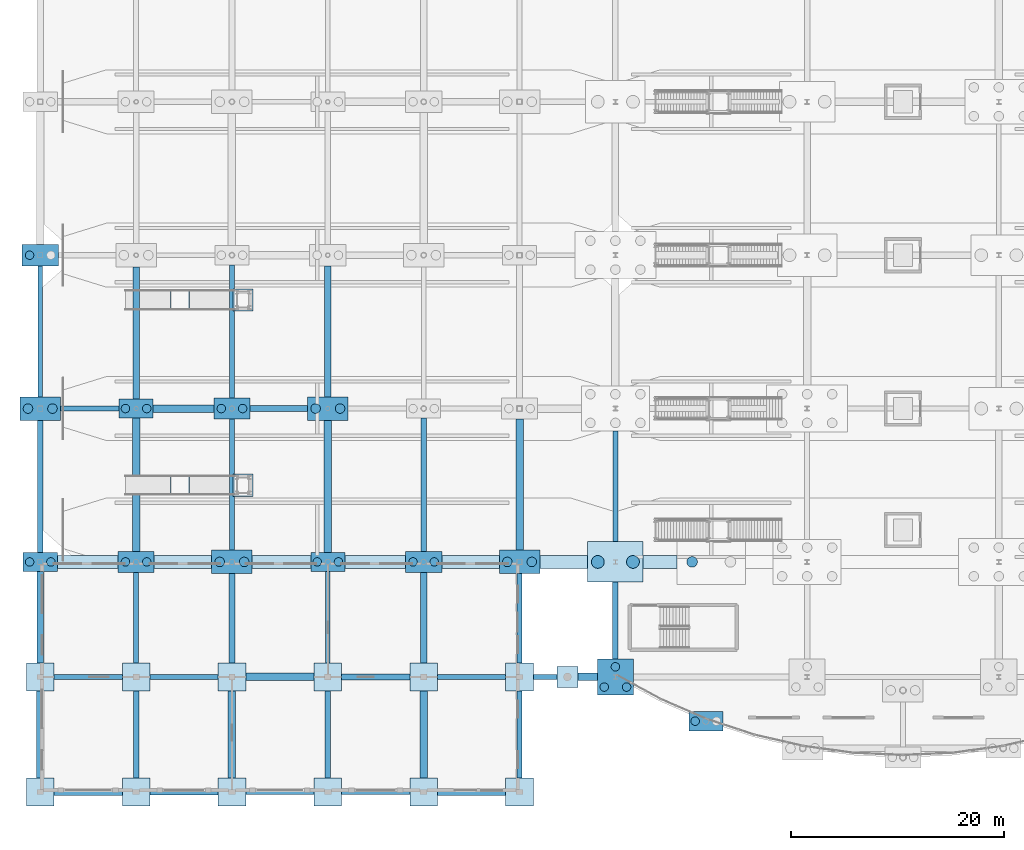
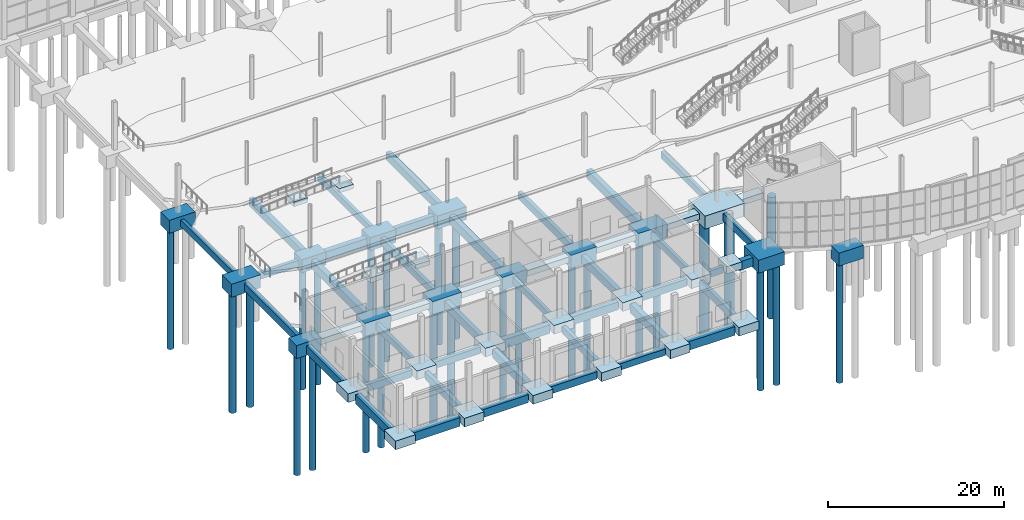
# One storey, part 1 of 115: 77 footings, 28 piles.
"""IFC4 building model written with IfcOpenShell, lengths in metres."""

from ifc_helpers import new_model, si_unit, direction, frame, origin, origin_2d, place, context, subcontext, project, spatial, rectangle, circle, extrude, material, material_profile, profile_set, type_object, element, save


model = new_model("IFC4")

# Units and contexts
model_context = context("Model", 3, precision=1e-05, world=origin(), true_north=direction((0.0, 1.0)))
body_context = subcontext(model_context, "Body", "Model", "MODEL_VIEW")
ifc_project = project(units=[si_unit("LENGTHUNIT", "METRE"), si_unit("AREAUNIT", "SQUARE_METRE"), si_unit("VOLUMEUNIT", "CUBIC_METRE"), si_unit("PLANEANGLEUNIT", "RADIAN"), si_unit("MASSUNIT", "GRAM", prefix="KILO")], contexts=[model_context])

# Site, building, storey
site_placement = place(None, origin())
site = spatial("IfcSite", under=ifc_project, at=site_placement, CompositionType="ELEMENT")
building_placement = place(site_placement, origin())
building = spatial("IfcBuilding", under=site, at=building_placement, Name="Tamarisk Ironworks Central Station", CompositionType="ELEMENT")
storey_placement = place(building_placement, origin())
storey = spatial("IfcBuildingStorey", under=building, at=storey_placement, Name="L00", CompositionType="ELEMENT", Elevation=0.0)

# Footings
ifc_material = material(Name="Concrete C40/50", Category="concrete")
footing_type_1 = type_object("IfcFootingType", Name="CAP-PC01", PredefinedType="PILE_CAP", material=ifc_material)
footing_1_placement = place(storey_placement, frame((54.0, 21.60009765625, -1.7998046875), z_axis=(0.0, 0.0, 1.0), x_axis=(1.0, 0.0, 0.0)))
element("IfcFooting", 1, at=footing_1_placement, inside=storey, type_object=footing_type_1, Name="Pile cap V2-07C", PredefinedType="PILE_CAP", context=body_context, shape_type="SweptSolid", body=[
    extrude(rectangle(XDim=5.199951171875, YDim=3.800048828125, at=origin_2d()), origin(), (0.0, 0.0, 1.0), 1.800048828125),
])
footing_type_2 = type_object("IfcFootingType", Name="CAP-PC06", PredefinedType="PILE_CAP", material=ifc_material)
footing_2_placement = place(storey_placement, frame((54.0, 10.800048828125, -1.7998046875), z_axis=(0.0, 0.0, 1.0), x_axis=(1.0, 0.0, 0.0)))
element("IfcFooting", 2, at=footing_2_placement, inside=storey, type_object=footing_type_2, Name="Pile cap V2-07B", PredefinedType="PILE_CAP", context=body_context, shape_type="SweptSolid", body=[
    extrude(rectangle(XDim=3.39990234375, YDim=3.39990234375, at=origin_2d()), origin(), (0.0, 0.0, 1.0), 1.800048828125),
])
footing_type_3 = type_object("IfcFootingType", Name="CAP-PC07", PredefinedType="PILE_CAP", material=ifc_material)
for number, where, z_axis, x_axis, name in (
    (3, (0.0, 36.0, -1.7998046875), (0.0, 0.0, 1.0), (1.0, 0.0, 0.0), "Pile cap V1-01D"),
    (4, (18.0, 21.60009765625, -1.7998046875), (0.0, 0.0, 1.0), (1.0, 0.0, 0.0), "Pile cap V1-03C"),
    (5, (27.0, 36.0, -1.7998046875), (0.0, 0.0, 1.0), (1.0, 0.0, 0.0), "Pile cap V1-04D"),
    (6, (45.0, 21.60009765625, -1.7998046875), (0.0, 0.0, 1.0), (1.0, 0.0, 0.0), "Pile cap V1-06C"),
):
    element("IfcFooting", number, at=place(storey_placement, frame(where, z_axis=z_axis, x_axis=x_axis)), inside=storey, type_object=footing_type_3, Name=name, PredefinedType="PILE_CAP", context=body_context, shape_type="SweptSolid", body=[
        extrude(rectangle(XDim=3.800048828125, YDim=2.199951171875, at=origin_2d()), origin(), (0.0, 0.0, 1.0), 1.800048828125),
    ])
footing_type_4 = type_object("IfcFootingType", Name="CAP-PC08", PredefinedType="PILE_CAP", material=ifc_material)
for number, where, z_axis, x_axis, name in (
    (7, (0.0, 50.39990234375, -1.7998046875), (0.0, 0.0, 1.0), (1.0, 0.0, 0.0), "Pile cap V1-01E"),
    (8, (9.0, 21.60009765625, -1.7998046875), (0.0, 0.0, 1.0), (1.0, 0.0, 0.0), "Pile cap V1-02C"),
    (9, (18.0, 36.0, -1.7998046875), (0.0, 0.0, 1.0), (1.0, 0.0, 0.0), "Pile cap V1-03D"),
    (10, (36.0, 21.60009765625, -1.7998046875), (0.0, 0.0, 1.0), (1.0, 0.0, 0.0), "Pile cap V1-05C"),
):
    element("IfcFooting", number, at=place(storey_placement, frame(where, z_axis=z_axis, x_axis=x_axis)), inside=storey, type_object=footing_type_4, Name=name, PredefinedType="PILE_CAP", context=body_context, shape_type="SweptSolid", body=[
        extrude(rectangle(XDim=3.39990234375, YDim=2.0, at=origin_2d()), origin(), (0.0, 0.0, 1.0), 1.800048828125),
    ])
footing_type_5 = type_object("IfcFootingType", Name="CAP-PC09", PredefinedType="PILE_CAP", material=ifc_material)
for number, where, z_axis, x_axis, name in (
    (11, (62.48876953125, 6.6474609375, -1.7998046875), (0.0, 0.0, 1.0), (1.0, 0.0, 0.0), "Pile cap V2-SN02"),
    (12, (0.0, 21.60009765625, -1.7998046875), (0.0, 0.0, 1.0), (1.0, 0.0, 0.0), "Pile cap V1-01C"),
    (13, (9.0, 36.0, -1.7998046875), (0.0, 0.0, 1.0), (1.0, 0.0, 0.0), "Pile cap V1-02D"),
    (14, (27.0, 21.60009765625, -1.7998046875), (0.0, 0.0, 1.0), (1.0, 0.0, 0.0), "Pile cap V1-04C"),
):
    element("IfcFooting", number, at=place(storey_placement, frame(where, z_axis=z_axis, x_axis=x_axis)), inside=storey, type_object=footing_type_5, Name=name, PredefinedType="PILE_CAP", context=body_context, shape_type="SweptSolid", body=[
        extrude(rectangle(XDim=3.199951171875, YDim=1.800048828125, at=origin_2d()), origin(), (0.0, 0.0, 1.0), 1.800048828125),
    ])
ifc_material_profile_1 = material_profile(ifc_material, rectangle(XDim=0.699951171875, YDim=1.199951171875, at=origin_2d()), Name="GB01 700x1200")
ifc_profile_set_1 = profile_set([ifc_material_profile_1], Name="Concrete C40/50")
footing_type_6 = type_object("IfcFootingType", Name="GB-01", PredefinedType="FOOTING_BEAM", material=ifc_profile_set_1)
for number, where, z_axis, x_axis, name in (
    (15, (1.300048828125, 0.0, -1.050048828125), (1.0, 0.0, 0.0), (0.0, 1.0, 0.0), "Ground tie beam GB-X-001"),
    (16, (37.300048828125, 0.0, -1.050048828125), (1.0, 0.0, 0.0), (0.0, 1.0, 0.0), "Ground tie beam GB-X-005"),
    (17, (19.300048828125, 10.800048828125, -1.050048828125), (1.0, 0.0, 0.0), (0.0, 1.0, 0.0), "Ground tie beam GB-X-013"),
):
    element("IfcFooting", number, at=place(storey_placement, frame(where, z_axis=z_axis, x_axis=x_axis)), inside=storey, type_object=footing_type_6, Name=name, PredefinedType="FOOTING_BEAM", context=body_context, shape_type="SweptSolid", body=[
        extrude(rectangle(XDim=0.699951171875, YDim=1.199951171875, at=origin_2d()), origin(), (0.0, 0.0, 1.0), 6.39990234375),
    ])
footing_3_placement = place(storey_placement, frame((50.5, 10.800048828125, -1.050048828125), z_axis=(1.0, 0.0, 0.0), x_axis=(0.0, 1.0, 0.0)))
element("IfcFooting", 18, at=footing_3_placement, inside=storey, type_object=footing_type_6, Name="Ground tie beam GB-X-017", PredefinedType="FOOTING_BEAM", context=body_context, shape_type="SweptSolid", body=[
    extrude(rectangle(XDim=0.699951171875, YDim=1.199951171875, at=origin_2d()), origin(), (0.0, 0.0, 1.0), 1.800048828125),
])
footing_4_placement = place(storey_placement, frame((10.60009765625, 36.0, -1.050048828125), z_axis=(1.0, 0.0, 0.0), x_axis=(0.0, 1.0, 0.0)))
element("IfcFooting", 19, at=footing_4_placement, inside=storey, type_object=footing_type_6, Name="Ground tie beam GB-X-029", PredefinedType="FOOTING_BEAM", context=body_context, shape_type="SweptSolid", body=[
    extrude(rectangle(XDim=0.699951171875, YDim=1.199951171875, at=origin_2d()), origin(), (0.0, 0.0, 1.0), 5.699951171875),
])
footing_5_placement = place(storey_placement, frame((0.0, 1.300048828125, -1.050048828125), z_axis=(0.0, 1.0, 0.0), x_axis=(-1.0, 0.0, 0.0)))
element("IfcFooting", 20, at=footing_5_placement, inside=storey, type_object=footing_type_6, Name="Ground tie beam GB-Y-133", PredefinedType="FOOTING_BEAM", context=body_context, shape_type="SweptSolid", body=[
    extrude(rectangle(XDim=0.699951171875, YDim=1.199951171875, at=origin_2d()), origin(), (0.0, 0.0, 1.0), 8.199951171875),
])
footing_6_placement = place(storey_placement, frame((9.0, 22.60009765625, -1.050048828125), z_axis=(0.0, 1.0, 0.0), x_axis=(-1.0, 0.0, 0.0)))
element("IfcFooting", 21, at=footing_6_placement, inside=storey, type_object=footing_type_6, Name="Ground tie beam GB-Y-145", PredefinedType="FOOTING_BEAM", context=body_context, shape_type="SweptSolid", body=[
    extrude(rectangle(XDim=0.699951171875, YDim=1.199951171875, at=origin_2d()), origin(), (0.0, 0.0, 1.0), 12.5),
])
footing_7_placement = place(storey_placement, frame((18.0, 1.300048828125, -1.050048828125), z_axis=(0.0, 1.0, 0.0), x_axis=(-1.0, 0.0, 0.0)))
element("IfcFooting", 22, at=footing_7_placement, inside=storey, type_object=footing_type_6, Name="Ground tie beam GB-Y-153", PredefinedType="FOOTING_BEAM", context=body_context, shape_type="SweptSolid", body=[
    extrude(rectangle(XDim=0.699951171875, YDim=1.199951171875, at=origin_2d()), origin(), (0.0, 0.0, 1.0), 8.199951171875),
])
footing_8_placement = place(storey_placement, frame((27.0, 22.5, -1.050048828125), z_axis=(0.0, 1.0, 0.0), x_axis=(-1.0, 0.0, 0.0)))
element("IfcFooting", 23, at=footing_8_placement, inside=storey, type_object=footing_type_6, Name="Ground tie beam GB-Y-165", PredefinedType="FOOTING_BEAM", context=body_context, shape_type="SweptSolid", body=[
    extrude(rectangle(XDim=0.699951171875, YDim=1.199951171875, at=origin_2d()), origin(), (0.0, 0.0, 1.0), 12.39990234375),
])
footing_9_placement = place(storey_placement, frame((36.0, 1.300048828125, -1.050048828125), z_axis=(0.0, 1.0, 0.0), x_axis=(-1.0, 0.0, 0.0)))
element("IfcFooting", 24, at=footing_9_placement, inside=storey, type_object=footing_type_6, Name="Ground tie beam GB-Y-173", PredefinedType="FOOTING_BEAM", context=body_context, shape_type="SweptSolid", body=[
    extrude(rectangle(XDim=0.699951171875, YDim=1.199951171875, at=origin_2d()), origin(), (0.0, 0.0, 1.0), 8.199951171875),
])
footing_10_placement = place(storey_placement, frame((45.0, 22.699951171875, -1.050048828125), z_axis=(0.0, 1.0, 0.0), x_axis=(-1.0, 0.0, 0.0)))
element("IfcFooting", 25, at=footing_10_placement, inside=storey, type_object=footing_type_6, Name="Ground tie beam GB-Y-185", PredefinedType="FOOTING_BEAM", context=body_context, shape_type="SweptSolid", body=[
    extrude(rectangle(XDim=0.699951171875, YDim=1.199951171875, at=origin_2d()), origin(), (0.0, 0.0, 1.0), 12.300048828125),
])
ifc_material_profile_2 = material_profile(ifc_material, rectangle(XDim=0.60009765625, YDim=1.10009765625, at=origin_2d()), Name="GB02 600x1100")
ifc_profile_set_2 = profile_set([ifc_material_profile_2], Name="Concrete C40/50")
footing_type_7 = type_object("IfcFootingType", Name="GB-02", PredefinedType="FOOTING_BEAM", material=ifc_profile_set_2)
for number, where, z_axis, x_axis, name in (
    (26, (10.300048828125, 0.0, -1.0), (1.0, 0.0, 0.0), (0.0, 1.0, 0.0), "Ground tie beam GB-X-002"),
    (27, (28.300048828125, 10.800048828125, -1.0), (1.0, 0.0, 0.0), (0.0, 1.0, 0.0), "Ground tie beam GB-X-014"),
):
    element("IfcFooting", number, at=place(storey_placement, frame(where, z_axis=z_axis, x_axis=x_axis)), inside=storey, type_object=footing_type_7, Name=name, PredefinedType="FOOTING_BEAM", context=body_context, shape_type="SweptSolid", body=[
        extrude(rectangle(XDim=0.60009765625, YDim=1.10009765625, at=origin_2d()), origin(), (0.0, 0.0, 1.0), 6.39990234375),
    ])
footing_11_placement = place(storey_placement, frame((19.699951171875, 36.0, -1.0), z_axis=(1.0, 0.0, 0.0), x_axis=(0.0, 1.0, 0.0)))
element("IfcFooting", 28, at=footing_11_placement, inside=storey, type_object=footing_type_7, Name="Ground tie beam GB-X-030", PredefinedType="FOOTING_BEAM", context=body_context, shape_type="SweptSolid", body=[
    extrude(rectangle(XDim=0.60009765625, YDim=1.10009765625, at=origin_2d()), origin(), (0.0, 0.0, 1.0), 5.400146484375),
])
footing_12_placement = place(storey_placement, frame((0.0, 12.10009765625, -1.0), z_axis=(0.0, 1.0, 0.0), x_axis=(-1.0, 0.0, 0.0)))
element("IfcFooting", 29, at=footing_12_placement, inside=storey, type_object=footing_type_7, Name="Ground tie beam GB-Y-134", PredefinedType="FOOTING_BEAM", context=body_context, shape_type="SweptSolid", body=[
    extrude(rectangle(XDim=0.60009765625, YDim=1.10009765625, at=origin_2d()), origin(), (0.0, 0.0, 1.0), 8.599853515625),
])
footing_13_placement = place(storey_placement, frame((9.0, 36.89990234375, -1.0), z_axis=(0.0, 1.0, 0.0), x_axis=(-1.0, 0.0, 0.0)))
element("IfcFooting", 30, at=footing_13_placement, inside=storey, type_object=footing_type_7, Name="Ground tie beam GB-Y-146", PredefinedType="FOOTING_BEAM", context=body_context, shape_type="SweptSolid", body=[
    extrude(rectangle(XDim=0.60009765625, YDim=1.10009765625, at=origin_2d()), origin(), (0.0, 0.0, 1.0), 12.400146484375),
])
footing_14_placement = place(storey_placement, frame((18.0, 12.10009765625, -1.0), z_axis=(0.0, 1.0, 0.0), x_axis=(-1.0, 0.0, 0.0)))
element("IfcFooting", 31, at=footing_14_placement, inside=storey, type_object=footing_type_7, Name="Ground tie beam GB-Y-154", PredefinedType="FOOTING_BEAM", context=body_context, shape_type="SweptSolid", body=[
    extrude(rectangle(XDim=0.60009765625, YDim=1.10009765625, at=origin_2d()), origin(), (0.0, 0.0, 1.0), 8.39990234375),
])
footing_15_placement = place(storey_placement, frame((27.0, 37.10009765625, -1.0), z_axis=(0.0, 1.0, 0.0), x_axis=(-1.0, 0.0, 0.0)))
element("IfcFooting", 32, at=footing_15_placement, inside=storey, type_object=footing_type_7, Name="Ground tie beam GB-Y-166", PredefinedType="FOOTING_BEAM", context=body_context, shape_type="SweptSolid", body=[
    extrude(rectangle(XDim=0.60009765625, YDim=1.10009765625, at=origin_2d()), origin(), (0.0, 0.0, 1.0), 12.2998046875),
])
footing_16_placement = place(storey_placement, frame((36.0, 12.10009765625, -1.0), z_axis=(0.0, 1.0, 0.0), x_axis=(-1.0, 0.0, 0.0)))
element("IfcFooting", 33, at=footing_16_placement, inside=storey, type_object=footing_type_7, Name="Ground tie beam GB-Y-174", PredefinedType="FOOTING_BEAM", context=body_context, shape_type="SweptSolid", body=[
    extrude(rectangle(XDim=0.60009765625, YDim=1.10009765625, at=origin_2d()), origin(), (0.0, 0.0, 1.0), 8.5),
])
ifc_material_profile_3 = material_profile(ifc_material, rectangle(XDim=0.5, YDim=1.0, at=origin_2d()), Name="GB03 500x1000")
ifc_profile_set_3 = profile_set([ifc_material_profile_3], Name="Concrete C40/50")
footing_type_8 = type_object("IfcFootingType", Name="GB-03", PredefinedType="FOOTING_BEAM", material=ifc_profile_set_3)
for number, where, z_axis, x_axis, name in (
    (34, (19.300048828125, 0.0, -0.949951171875), (1.0, 0.0, 0.0), (0.0, 1.0, 0.0), "Ground tie beam GB-X-003"),
    (35, (1.300048828125, 10.800048828125, -0.949951171875), (1.0, 0.0, 0.0), (0.0, 1.0, 0.0), "Ground tie beam GB-X-011"),
    (36, (37.300048828125, 10.800048828125, -0.949951171875), (1.0, 0.0, 0.0), (0.0, 1.0, 0.0), "Ground tie beam GB-X-015"),
):
    element("IfcFooting", number, at=place(storey_placement, frame(where, z_axis=z_axis, x_axis=x_axis)), inside=storey, type_object=footing_type_8, Name=name, PredefinedType="FOOTING_BEAM", context=body_context, shape_type="SweptSolid", body=[
        extrude(rectangle(XDim=0.5, YDim=1.0, at=origin_2d()), origin(), (0.0, 0.0, 1.0), 6.39990234375),
    ])
footing_17_placement = place(storey_placement, frame((0.0, 22.5, -0.949951171875), z_axis=(0.0, 1.0, 0.0), x_axis=(-1.0, 0.0, 0.0)))
element("IfcFooting", 37, at=footing_17_placement, inside=storey, type_object=footing_type_8, Name="Ground tie beam GB-Y-135", PredefinedType="FOOTING_BEAM", context=body_context, shape_type="SweptSolid", body=[
    extrude(rectangle(XDim=0.5, YDim=1.0, at=origin_2d()), origin(), (0.0, 0.0, 1.0), 12.39990234375),
])
footing_18_placement = place(storey_placement, frame((9.0, 1.300048828125, -0.949951171875), z_axis=(0.0, 1.0, 0.0), x_axis=(-1.0, 0.0, 0.0)))
element("IfcFooting", 38, at=footing_18_placement, inside=storey, type_object=footing_type_8, Name="Ground tie beam GB-Y-143", PredefinedType="FOOTING_BEAM", context=body_context, shape_type="SweptSolid", body=[
    extrude(rectangle(XDim=0.5, YDim=1.0, at=origin_2d()), origin(), (0.0, 0.0, 1.0), 8.199951171875),
])
footing_19_placement = place(storey_placement, frame((18.0, 22.699951171875, -0.949951171875), z_axis=(0.0, 1.0, 0.0), x_axis=(-1.0, 0.0, 0.0)))
element("IfcFooting", 39, at=footing_19_placement, inside=storey, type_object=footing_type_8, Name="Ground tie beam GB-Y-155", PredefinedType="FOOTING_BEAM", context=body_context, shape_type="SweptSolid", body=[
    extrude(rectangle(XDim=0.5, YDim=1.0, at=origin_2d()), origin(), (0.0, 0.0, 1.0), 12.300048828125),
])
footing_20_placement = place(storey_placement, frame((27.0, 1.300048828125, -0.949951171875), z_axis=(0.0, 1.0, 0.0), x_axis=(-1.0, 0.0, 0.0)))
element("IfcFooting", 40, at=footing_20_placement, inside=storey, type_object=footing_type_8, Name="Ground tie beam GB-Y-163", PredefinedType="FOOTING_BEAM", context=body_context, shape_type="SweptSolid", body=[
    extrude(rectangle(XDim=0.5, YDim=1.0, at=origin_2d()), origin(), (0.0, 0.0, 1.0), 8.199951171875),
])
footing_21_placement = place(storey_placement, frame((36.0, 22.60009765625, -0.949951171875), z_axis=(0.0, 1.0, 0.0), x_axis=(-1.0, 0.0, 0.0)))
element("IfcFooting", 41, at=footing_21_placement, inside=storey, type_object=footing_type_8, Name="Ground tie beam GB-Y-175", PredefinedType="FOOTING_BEAM", context=body_context, shape_type="SweptSolid", body=[
    extrude(rectangle(XDim=0.5, YDim=1.0, at=origin_2d()), origin(), (0.0, 0.0, 1.0), 12.5),
])
footing_22_placement = place(storey_placement, frame((45.0, 1.300048828125, -0.949951171875), z_axis=(0.0, 1.0, 0.0), x_axis=(-1.0, 0.0, 0.0)))
element("IfcFooting", 42, at=footing_22_placement, inside=storey, type_object=footing_type_8, Name="Ground tie beam GB-Y-183", PredefinedType="FOOTING_BEAM", context=body_context, shape_type="SweptSolid", body=[
    extrude(rectangle(XDim=0.5, YDim=1.0, at=origin_2d()), origin(), (0.0, 0.0, 1.0), 8.199951171875),
])
footing_23_placement = place(storey_placement, frame((54.0, 12.5, -0.949951171875), z_axis=(0.0, 1.0, 0.0), x_axis=(-1.0, 0.0, 0.0)))
element("IfcFooting", 43, at=footing_23_placement, inside=storey, type_object=footing_type_8, Name="Ground tie beam GB-Y-195", PredefinedType="FOOTING_BEAM", context=body_context, shape_type="SweptSolid", body=[
    extrude(rectangle(XDim=0.5, YDim=1.0, at=origin_2d()), origin(), (0.0, 0.0, 1.0), 7.199951171875),
])
ifc_material_profile_4 = material_profile(ifc_material, rectangle(XDim=0.449951171875, YDim=0.89990234375, at=origin_2d()), Name="GB04 450x900")
ifc_profile_set_4 = profile_set([ifc_material_profile_4], Name="Concrete C40/50")
footing_type_9 = type_object("IfcFootingType", Name="GB-04", PredefinedType="FOOTING_BEAM", material=ifc_profile_set_4)
for number, where, z_axis, x_axis, name in (
    (44, (28.300048828125, 0.0, -0.89990234375), (1.0, 0.0, 0.0), (0.0, 1.0, 0.0), "Ground tie beam GB-X-004"),
    (45, (10.300048828125, 10.800048828125, -0.89990234375), (1.0, 0.0, 0.0), (0.0, 1.0, 0.0), "Ground tie beam GB-X-012"),
):
    element("IfcFooting", number, at=place(storey_placement, frame(where, z_axis=z_axis, x_axis=x_axis)), inside=storey, type_object=footing_type_9, Name=name, PredefinedType="FOOTING_BEAM", context=body_context, shape_type="SweptSolid", body=[
        extrude(rectangle(XDim=0.449951171875, YDim=0.89990234375, at=origin_2d()), origin(), (0.0, 0.0, 1.0), 6.39990234375),
    ])
footing_24_placement = place(storey_placement, frame((46.300048828125, 10.800048828125, -0.89990234375), z_axis=(1.0, 0.0, 0.0), x_axis=(0.0, 1.0, 0.0)))
element("IfcFooting", 46, at=footing_24_placement, inside=storey, type_object=footing_type_9, Name="Ground tie beam GB-X-016", PredefinedType="FOOTING_BEAM", context=body_context, shape_type="SweptSolid", body=[
    extrude(rectangle(XDim=0.449951171875, YDim=0.89990234375, at=origin_2d()), origin(), (0.0, 0.0, 1.0), 2.199951171875),
])
footing_25_placement = place(storey_placement, frame((1.89990234375, 36.0, -0.89990234375), z_axis=(1.0, 0.0, 0.0), x_axis=(0.0, 1.0, 0.0)))
element("IfcFooting", 47, at=footing_25_placement, inside=storey, type_object=footing_type_9, Name="Ground tie beam GB-X-028", PredefinedType="FOOTING_BEAM", context=body_context, shape_type="SweptSolid", body=[
    extrude(rectangle(XDim=0.449951171875, YDim=0.89990234375, at=origin_2d()), origin(), (0.0, 0.0, 1.0), 5.5),
])
footing_26_placement = place(storey_placement, frame((0.0, 37.10009765625, -0.89990234375), z_axis=(0.0, 1.0, 0.0), x_axis=(-1.0, 0.0, 0.0)))
element("IfcFooting", 48, at=footing_26_placement, inside=storey, type_object=footing_type_9, Name="Ground tie beam GB-Y-136", PredefinedType="FOOTING_BEAM", context=body_context, shape_type="SweptSolid", body=[
    extrude(rectangle(XDim=0.449951171875, YDim=0.89990234375, at=origin_2d()), origin(), (0.0, 0.0, 1.0), 12.2998046875),
])
footing_27_placement = place(storey_placement, frame((9.0, 12.10009765625, -0.89990234375), z_axis=(0.0, 1.0, 0.0), x_axis=(-1.0, 0.0, 0.0)))
element("IfcFooting", 49, at=footing_27_placement, inside=storey, type_object=footing_type_9, Name="Ground tie beam GB-Y-144", PredefinedType="FOOTING_BEAM", context=body_context, shape_type="SweptSolid", body=[
    extrude(rectangle(XDim=0.449951171875, YDim=0.89990234375, at=origin_2d()), origin(), (0.0, 0.0, 1.0), 8.5),
])
footing_28_placement = place(storey_placement, frame((18.0, 37.0, -0.89990234375), z_axis=(0.0, 1.0, 0.0), x_axis=(-1.0, 0.0, 0.0)))
element("IfcFooting", 50, at=footing_28_placement, inside=storey, type_object=footing_type_9, Name="Ground tie beam GB-Y-156", PredefinedType="FOOTING_BEAM", context=body_context, shape_type="SweptSolid", body=[
    extrude(rectangle(XDim=0.449951171875, YDim=0.89990234375, at=origin_2d()), origin(), (0.0, 0.0, 1.0), 12.5),
])
footing_29_placement = place(storey_placement, frame((27.0, 12.10009765625, -0.89990234375), z_axis=(0.0, 1.0, 0.0), x_axis=(-1.0, 0.0, 0.0)))
element("IfcFooting", 51, at=footing_29_placement, inside=storey, type_object=footing_type_9, Name="Ground tie beam GB-Y-164", PredefinedType="FOOTING_BEAM", context=body_context, shape_type="SweptSolid", body=[
    extrude(rectangle(XDim=0.449951171875, YDim=0.89990234375, at=origin_2d()), origin(), (0.0, 0.0, 1.0), 8.599853515625),
])
footing_30_placement = place(storey_placement, frame((45.0, 12.10009765625, -0.89990234375), z_axis=(0.0, 1.0, 0.0), x_axis=(-1.0, 0.0, 0.0)))
element("IfcFooting", 52, at=footing_30_placement, inside=storey, type_object=footing_type_9, Name="Ground tie beam GB-Y-184", PredefinedType="FOOTING_BEAM", context=body_context, shape_type="SweptSolid", body=[
    extrude(rectangle(XDim=0.449951171875, YDim=0.89990234375, at=origin_2d()), origin(), (0.0, 0.0, 1.0), 8.39990234375),
])
footing_31_placement = place(storey_placement, frame((54.0, 23.5, -0.89990234375), z_axis=(0.0, 1.0, 0.0), x_axis=(-1.0, 0.0, 0.0)))
element("IfcFooting", 53, at=footing_31_placement, inside=storey, type_object=footing_type_9, Name="Ground tie beam GB-Y-196", PredefinedType="FOOTING_BEAM", context=body_context, shape_type="SweptSolid", body=[
    extrude(rectangle(XDim=0.449951171875, YDim=0.89990234375, at=origin_2d()), origin(), (0.0, 0.0, 1.0), 10.39990234375),
])
footing_type_10 = type_object("IfcFootingType", Name="PAD-PF01", PredefinedType="PAD_FOOTING", material=ifc_material)
for number, where, z_axis, x_axis, name in (
    (54, (0.0, 0.0, -1.2001953125), (0.0, 0.0, 1.0), (1.0, 0.0, 0.0), "Pad footing V1B-01A"),
    (55, (0.0, 10.800048828125, -1.2001953125), (0.0, 0.0, 1.0), (1.0, 0.0, 0.0), "Pad footing V1B-01B"),
    (56, (9.0, 0.0, -1.2001953125), (0.0, 0.0, 1.0), (1.0, 0.0, 0.0), "Pad footing V1B-02A"),
    (57, (9.0, 10.800048828125, -1.2001953125), (0.0, 0.0, 1.0), (1.0, 0.0, 0.0), "Pad footing V1B-02B"),
    (58, (18.0, 0.0, -1.2001953125), (0.0, 0.0, 1.0), (1.0, 0.0, 0.0), "Pad footing V1B-03A"),
    (59, (18.0, 10.800048828125, -1.2001953125), (0.0, 0.0, 1.0), (1.0, 0.0, 0.0), "Pad footing V1B-03B"),
    (60, (27.0, 0.0, -1.2001953125), (0.0, 0.0, 1.0), (1.0, 0.0, 0.0), "Pad footing V1B-04A"),
    (61, (27.0, 10.800048828125, -1.2001953125), (0.0, 0.0, 1.0), (1.0, 0.0, 0.0), "Pad footing V1B-04B"),
    (62, (36.0, 0.0, -1.2001953125), (0.0, 0.0, 1.0), (1.0, 0.0, 0.0), "Pad footing V1B-05A"),
    (63, (36.0, 10.800048828125, -1.2001953125), (0.0, 0.0, 1.0), (1.0, 0.0, 0.0), "Pad footing V1B-05B"),
    (64, (45.0, 0.0, -1.2001953125), (0.0, 0.0, 1.0), (1.0, 0.0, 0.0), "Pad footing V1B-06A"),
    (65, (45.0, 10.800048828125, -1.2001953125), (0.0, 0.0, 1.0), (1.0, 0.0, 0.0), "Pad footing V1B-06B"),
):
    element("IfcFooting", number, at=place(storey_placement, frame(where, z_axis=z_axis, x_axis=x_axis)), inside=storey, type_object=footing_type_10, Name=name, PredefinedType="PAD_FOOTING", context=body_context, shape_type="SweptSolid", body=[
        extrude(rectangle(XDim=2.60009765625, YDim=2.60009765625, at=origin_2d()), origin(), (0.0, 0.0, 1.0), 1.199951171875),
    ])
for number, where, z_axis, x_axis, name in (
    (66, (19.0400390625, 28.800048828125, -0.60009765625), (0.0, 0.0, 1.0), (1.0, 0.0, 0.0), "RMP-P1W arrival landing pad footing"),
    (67, (19.0400390625, 46.199951171875, -0.60009765625), (0.0, 0.0, 1.0), (1.0, 0.0, 0.0), "RMP-P3W arrival landing pad footing"),
):
    element("IfcFooting", number, at=place(storey_placement, frame(where, z_axis=z_axis, x_axis=x_axis)), inside=storey, type_object=footing_type_10, Name=name, PredefinedType="PAD_FOOTING", context=body_context, shape_type="SweptSolid", body=[
        extrude(rectangle(XDim=1.89990234375, YDim=2.080078125, at=origin_2d()), origin(), (0.0, 0.0, 1.0), 0.60009765625),
    ])
footing_type_11 = type_object("IfcFootingType", Name="PAD-PF02", PredefinedType="PAD_FOOTING", material=ifc_material)
for number, where, z_axis, x_axis, name in (
    (68, (13.1201171875, 28.800048828125, -0.5), (0.0, 0.0, 1.0), (1.0, 0.0, 0.0), "RMP-P1W mid-landing plinth footing"),
    (69, (13.1201171875, 46.199951171875, -0.5), (0.0, 0.0, 1.0), (1.0, 0.0, 0.0), "RMP-P3W mid-landing plinth footing"),
):
    element("IfcFooting", number, at=place(storey_placement, frame(where, z_axis=z_axis, x_axis=x_axis)), inside=storey, type_object=footing_type_11, Name=name, PredefinedType="PAD_FOOTING", context=body_context, shape_type="SweptSolid", body=[
        extrude(rectangle(XDim=1.760009765625, YDim=1.8798828125, at=origin_2d()), origin(), (0.0, 0.0, 1.0), 0.699951171875),
    ])
footing_type_12 = type_object("IfcFootingType", Name="PAD-PF03", PredefinedType="PAD_FOOTING", material=ifc_material)
footing_32_placement = place(storey_placement, frame((49.5, 10.800048828125, -1.0), z_axis=(0.0, 0.0, 1.0), x_axis=(1.0, 0.0, 0.0)))
element("IfcFooting", 70, at=footing_32_placement, inside=storey, type_object=footing_type_12, Name="Pad footing CN-S1", PredefinedType="PAD_FOOTING", context=body_context, shape_type="SweptSolid", body=[
    extrude(rectangle(XDim=2.0, YDim=2.0, at=origin_2d()), origin(), (0.0, 0.0, 1.0), 1.0),
])

# Piles
ifc_material_profile_5 = material_profile(ifc_material, circle(Radius=0.5, at=origin_2d()), Name="BORED PILE D1000")
ifc_profile_set_5 = profile_set([ifc_material_profile_5], Name="Concrete C40/50")
pile_type_1 = type_object("IfcPileType", Name="PILE-D1000", PredefinedType="BORED", material=ifc_profile_set_5)
pile_placement = place(storey_placement, frame((61.199951171875, 21.60009765625, -1.64990234375), z_axis=(0.0, 0.0, -1.0), x_axis=(1.0, 0.0, 0.0)))
element("IfcPile", 71, at=pile_placement, inside=storey, type_object=pile_type_1, Name="Bored pile AB1-1", PredefinedType="BORED", context=body_context, shape_type="SweptSolid", body=[
    extrude(circle(Radius=0.5, at=origin_2d()), origin(), (0.0, 0.0, 1.0), 16.85009765625),
])
ifc_material_profile_6 = material_profile(ifc_material, circle(Radius=0.60009765625, at=origin_2d()), Name="BORED PILE D1200")
ifc_profile_set_6 = profile_set([ifc_material_profile_6], Name="Concrete C40/50")
pile_type_2 = type_object("IfcPileType", Name="PILE-D1200", PredefinedType="BORED", material=ifc_profile_set_6)
for number, where, z_axis, x_axis, name in (
    (72, (52.35009765625, 21.60009765625, -1.64990234375), (0.0, 0.0, -1.0), (1.0, 0.0, 0.0), "Bored pile V2-07C-1"),
    (73, (55.64990234375, 21.60009765625, -1.64990234375), (0.0, 0.0, -1.0), (1.0, 0.0, 0.0), "Bored pile V2-07C-2"),
):
    element("IfcPile", number, at=place(storey_placement, frame(where, z_axis=z_axis, x_axis=x_axis)), inside=storey, type_object=pile_type_2, Name=name, PredefinedType="BORED", context=body_context, shape_type="SweptSolid", body=[
        extrude(circle(Radius=0.60009765625, at=origin_2d()), origin(), (0.0, 0.0, 1.0), 16.85009765625),
    ])
ifc_material_profile_7 = material_profile(ifc_material, circle(Radius=0.39990234375, at=origin_2d()), Name="BORED PILE D800")
ifc_profile_set_7 = profile_set([ifc_material_profile_7], Name="Concrete C40/50")
pile_type_3 = type_object("IfcPileType", Name="PILE-D800", PredefinedType="BORED", material=ifc_profile_set_7)
for number, where, z_axis, x_axis, name in (
    (74, (52.949951171875, 9.85009765625, -1.64990234375), (0.0, 0.0, -1.0), (1.0, 0.0, 0.0), "Bored pile V2-07B-1"),
    (75, (55.050048828125, 9.85009765625, -1.64990234375), (0.0, 0.0, -1.0), (1.0, 0.0, 0.0), "Bored pile V2-07B-2"),
    (76, (54.0, 11.75, -1.64990234375), (0.0, 0.0, -1.0), (1.0, 0.0, 0.0), "Bored pile V2-07B-3"),
    (77, (61.48876953125, 6.6474609375, -1.64990234375), (0.0, 0.0, -1.0), (1.0, 0.0, 0.0), "Bored pile V2-SN02-1"),
    (78, (-1.0, 21.60009765625, -1.64990234375), (0.0, 0.0, -1.0), (1.0, 0.0, 0.0), "Bored pile V1-01C-1"),
    (79, (1.0, 21.60009765625, -1.64990234375), (0.0, 0.0, -1.0), (1.0, 0.0, 0.0), "Bored pile V1-01C-2"),
    (80, (-1.0, 50.39990234375, -1.64990234375), (0.0, 0.0, -1.0), (1.0, 0.0, 0.0), "Bored pile V1-01E-1"),
    (81, (8.0, 21.60009765625, -1.64990234375), (0.0, 0.0, -1.0), (1.0, 0.0, 0.0), "Bored pile V1-02C-1"),
    (82, (10.0, 21.60009765625, -1.64990234375), (0.0, 0.0, -1.0), (1.0, 0.0, 0.0), "Bored pile V1-02C-2"),
    (83, (8.0, 36.0, -1.64990234375), (0.0, 0.0, -1.0), (1.0, 0.0, 0.0), "Bored pile V1-02D-1"),
    (84, (10.0, 36.0, -1.64990234375), (0.0, 0.0, -1.0), (1.0, 0.0, 0.0), "Bored pile V1-02D-2"),
    (85, (17.0, 36.0, -1.64990234375), (0.0, 0.0, -1.0), (1.0, 0.0, 0.0), "Bored pile V1-03D-1"),
    (86, (19.0, 36.0, -1.64990234375), (0.0, 0.0, -1.0), (1.0, 0.0, 0.0), "Bored pile V1-03D-2"),
    (87, (26.0, 21.60009765625, -1.64990234375), (0.0, 0.0, -1.0), (1.0, 0.0, 0.0), "Bored pile V1-04C-1"),
    (88, (28.0, 21.60009765625, -1.64990234375), (0.0, 0.0, -1.0), (1.0, 0.0, 0.0), "Bored pile V1-04C-2"),
    (89, (35.0, 21.60009765625, -1.64990234375), (0.0, 0.0, -1.0), (1.0, 0.0, 0.0), "Bored pile V1-05C-1"),
    (90, (37.0, 21.60009765625, -1.64990234375), (0.0, 0.0, -1.0), (1.0, 0.0, 0.0), "Bored pile V1-05C-2"),
):
    element("IfcPile", number, at=place(storey_placement, frame(where, z_axis=z_axis, x_axis=x_axis)), inside=storey, type_object=pile_type_3, Name=name, PredefinedType="BORED", context=body_context, shape_type="SweptSolid", body=[
        extrude(circle(Radius=0.39990234375, at=origin_2d()), origin(), (0.0, 0.0, 1.0), 16.85009765625),
    ])
ifc_material_profile_8 = material_profile(ifc_material, circle(Radius=0.449951171875, at=origin_2d()), Name="BORED PILE D900")
ifc_profile_set_8 = profile_set([ifc_material_profile_8], Name="Concrete C40/50")
pile_type_4 = type_object("IfcPileType", Name="PILE-D900", PredefinedType="BORED", material=ifc_profile_set_8)
for number, where, z_axis, x_axis, name in (
    (91, (-1.14990234375, 36.0, -1.64990234375), (0.0, 0.0, -1.0), (1.0, 0.0, 0.0), "Bored pile V1-01D-1"),
    (92, (1.14990234375, 36.0, -1.64990234375), (0.0, 0.0, -1.0), (1.0, 0.0, 0.0), "Bored pile V1-01D-2"),
    (93, (16.85009765625, 21.60009765625, -1.64990234375), (0.0, 0.0, -1.0), (1.0, 0.0, 0.0), "Bored pile V1-03C-1"),
    (94, (19.14990234375, 21.60009765625, -1.64990234375), (0.0, 0.0, -1.0), (1.0, 0.0, 0.0), "Bored pile V1-03C-2"),
    (95, (25.85009765625, 36.0, -1.64990234375), (0.0, 0.0, -1.0), (1.0, 0.0, 0.0), "Bored pile V1-04D-1"),
    (96, (28.14990234375, 36.0, -1.64990234375), (0.0, 0.0, -1.0), (1.0, 0.0, 0.0), "Bored pile V1-04D-2"),
    (97, (43.85009765625, 21.60009765625, -1.64990234375), (0.0, 0.0, -1.0), (1.0, 0.0, 0.0), "Bored pile V1-06C-1"),
    (98, (46.14990234375, 21.60009765625, -1.64990234375), (0.0, 0.0, -1.0), (1.0, 0.0, 0.0), "Bored pile V1-06C-2"),
):
    element("IfcPile", number, at=place(storey_placement, frame(where, z_axis=z_axis, x_axis=x_axis)), inside=storey, type_object=pile_type_4, Name=name, PredefinedType="BORED", context=body_context, shape_type="SweptSolid", body=[
        extrude(circle(Radius=0.449951171875, at=origin_2d()), origin(), (0.0, 0.0, 1.0), 16.85009765625),
    ])

# Footings
ifc_material_profile_9 = material_profile(ifc_material, rectangle(XDim=1.199951171875, YDim=0.800048828125, at=origin_2d()), Name="SF01 1200x800")
ifc_profile_set_9 = profile_set([ifc_material_profile_9], Name="Concrete C40/50")
footing_type_13 = type_object("IfcFootingType", Name="SF-01", PredefinedType="STRIP_FOOTING", material=ifc_profile_set_9)
footing_33_placement = place(storey_placement, frame((1.60009765625, 21.60009765625, -0.85009765625), z_axis=(1.0, 0.0, 0.0), x_axis=(0.0, 1.0, 0.0)))
element("IfcFooting", 99, at=footing_33_placement, inside=storey, type_object=footing_type_13, Name="Strip footing SF-01", PredefinedType="STRIP_FOOTING", context=body_context, shape_type="SweptSolid", body=[
    extrude(rectangle(XDim=1.199951171875, YDim=0.800048828125, at=origin_2d()), origin(), (0.0, 0.0, 1.0), 5.699951171875),
])
footing_34_placement = place(storey_placement, frame((10.699951171875, 21.60009765625, -0.85009765625), z_axis=(1.0, 0.0, 0.0), x_axis=(0.0, 1.0, 0.0)))
element("IfcFooting", 100, at=footing_34_placement, inside=storey, type_object=footing_type_13, Name="Strip footing SF-02", PredefinedType="STRIP_FOOTING", context=body_context, shape_type="SweptSolid", body=[
    extrude(rectangle(XDim=1.199951171875, YDim=0.800048828125, at=origin_2d()), origin(), (0.0, 0.0, 1.0), 5.400146484375),
])
footing_35_placement = place(storey_placement, frame((19.89990234375, 21.60009765625, -0.85009765625), z_axis=(1.0, 0.0, 0.0), x_axis=(0.0, 1.0, 0.0)))
element("IfcFooting", 101, at=footing_35_placement, inside=storey, type_object=footing_type_13, Name="Strip footing SF-03", PredefinedType="STRIP_FOOTING", context=body_context, shape_type="SweptSolid", body=[
    extrude(rectangle(XDim=1.199951171875, YDim=0.800048828125, at=origin_2d()), origin(), (0.0, 0.0, 1.0), 5.5),
])
footing_36_placement = place(storey_placement, frame((28.60009765625, 21.60009765625, -0.85009765625), z_axis=(1.0, 0.0, 0.0), x_axis=(0.0, 1.0, 0.0)))
element("IfcFooting", 102, at=footing_36_placement, inside=storey, type_object=footing_type_13, Name="Strip footing SF-04", PredefinedType="STRIP_FOOTING", context=body_context, shape_type="SweptSolid", body=[
    extrude(rectangle(XDim=1.199951171875, YDim=0.800048828125, at=origin_2d()), origin(), (0.0, 0.0, 1.0), 5.699951171875),
])
footing_37_placement = place(storey_placement, frame((37.699951171875, 21.60009765625, -0.85009765625), z_axis=(1.0, 0.0, 0.0), x_axis=(0.0, 1.0, 0.0)))
element("IfcFooting", 103, at=footing_37_placement, inside=storey, type_object=footing_type_13, Name="Strip footing SF-05", PredefinedType="STRIP_FOOTING", context=body_context, shape_type="SweptSolid", body=[
    extrude(rectangle(XDim=1.199951171875, YDim=0.800048828125, at=origin_2d()), origin(), (0.0, 0.0, 1.0), 5.400146484375),
])
footing_38_placement = place(storey_placement, frame((46.89990234375, 21.60009765625, -0.85009765625), z_axis=(1.0, 0.0, 0.0), x_axis=(0.0, 1.0, 0.0)))
element("IfcFooting", 104, at=footing_38_placement, inside=storey, type_object=footing_type_13, Name="Strip footing SF-06", PredefinedType="STRIP_FOOTING", context=body_context, shape_type="SweptSolid", body=[
    extrude(rectangle(XDim=1.199951171875, YDim=0.800048828125, at=origin_2d()), origin(), (0.0, 0.0, 1.0), 4.5),
])
footing_39_placement = place(storey_placement, frame((56.60009765625, 21.60009765625, -0.85009765625), z_axis=(1.0, 0.0, 0.0), x_axis=(0.0, 1.0, 0.0)))
element("IfcFooting", 105, at=footing_39_placement, inside=storey, type_object=footing_type_13, Name="Strip footing SF-07", PredefinedType="STRIP_FOOTING", context=body_context, shape_type="SweptSolid", body=[
    extrude(rectangle(XDim=1.199951171875, YDim=0.800048828125, at=origin_2d()), origin(), (0.0, 0.0, 1.0), 3.199951171875),
])

save(model, "model.ifc")
